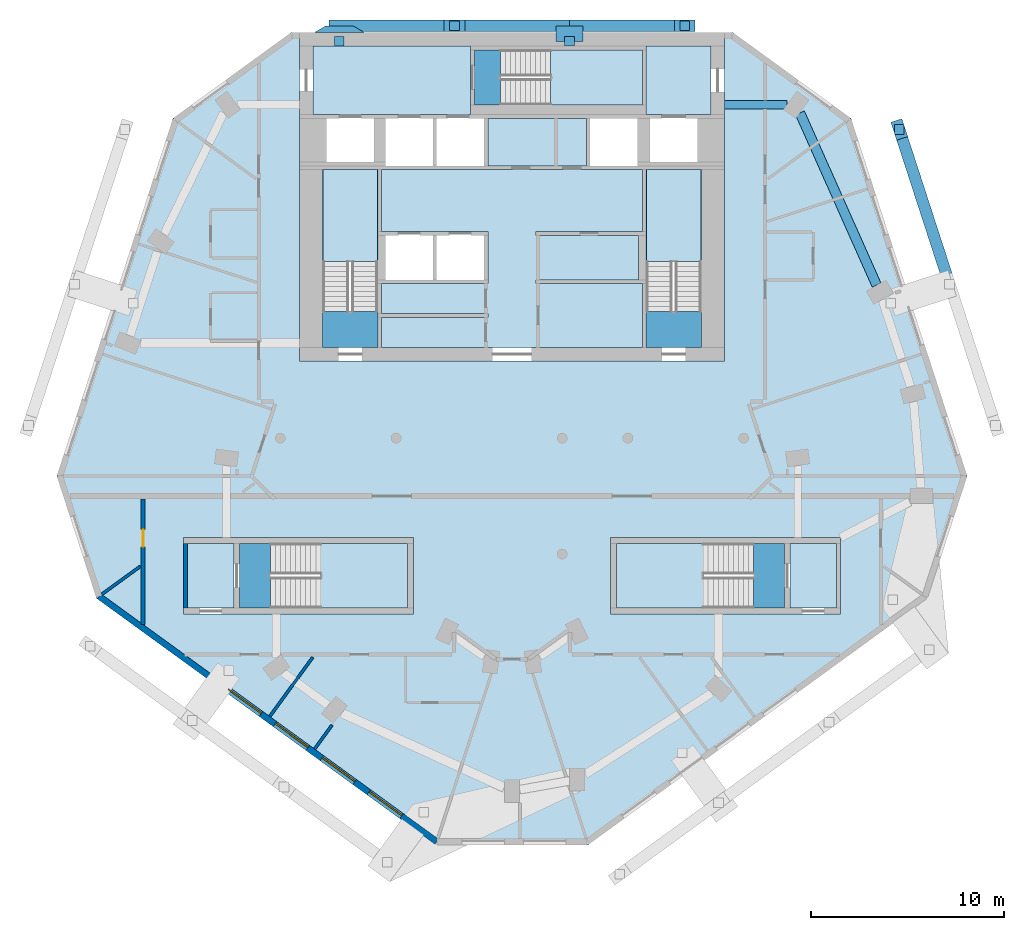
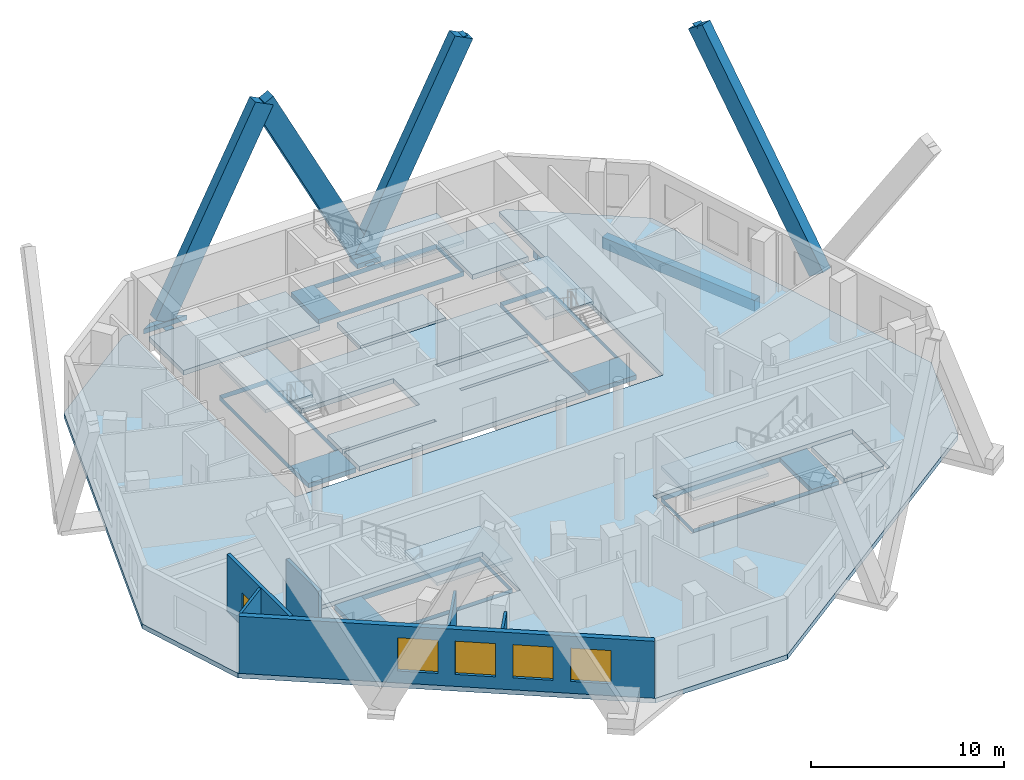
# One storey, part 2 of 9: 17 slabs, 6 members, 6 walls, 5 discrete accessories, 4 windows, 2 beams, 1 door, 5 openings, 5 elements without a shape of their own.
"""IFC4 building model written with IfcOpenShell, lengths in metres."""

from ifc_helpers import new_model, si_unit, direction, frame, frame_2d, origin, origin_2d, place, context, subcontext, project, spatial, polyline, rectangle, outline, extrude, material, layer, layer_set, material_profile, profile_set, type_object, element, fill, aggregate, save


model = new_model("IFC4")

# Units and contexts
model_context = context("Model", 3, precision=1e-05, world=origin(), true_north=direction((0.0, 1.0)))
body_context = subcontext(model_context, "Body", "Model", "MODEL_VIEW")
ifc_project = project(units=[si_unit("LENGTHUNIT", "METRE"), si_unit("AREAUNIT", "SQUARE_METRE"), si_unit("VOLUMEUNIT", "CUBIC_METRE"), si_unit("PLANEANGLEUNIT", "RADIAN"), si_unit("MASSUNIT", "GRAM", prefix="KILO")], contexts=[model_context])

# Site, building, storey
site_placement = place(None, origin())
site = spatial("IfcSite", under=ifc_project, at=site_placement, CompositionType="ELEMENT")
building_placement = place(site_placement, origin())
building = spatial("IfcBuilding", under=site, at=building_placement, Name="White Candle Pilgrim Tower", CompositionType="ELEMENT")
storey_placement = place(building_placement, frame((0.0, 0.0, 260.0)))
storey = spatial("IfcBuildingStorey", under=building, at=storey_placement, Name="L61", CompositionType="ELEMENT", Elevation=260.0)

# Member
ifc_material_1 = material(Name="Concrete C60/75, white", Category="concrete")
ifc_material_profile_1 = material_profile(ifc_material_1, rectangle(XDim=0.60009765625, YDim=1.199951171875, at=origin_2d()), Name="RC-DG 600x1200")
ifc_profile_set_1 = profile_set([ifc_material_profile_1], Name="Concrete C60/75, white")
member_type_1 = type_object("IfcMemberType", Name="Exoskeleton diagonal RC-DG 600x1200 C60/75", PredefinedType="BRACE", material=ifc_profile_set_1)
member_1_placement = place(storey_placement, frame((72.97900390625, 88.35009765625, 0.0), z_axis=(0.453783992732, 0.0, 0.891111714624), x_axis=(0.0, 1.0, 0.0)))
member_1 = element("IfcMember", 1, at=member_1_placement, inside=storey, type_object=member_type_1, Name="Exoskeleton diagonal EX244", PredefinedType="BRACE", context=body_context, shape_type="SweptSolid", body=[
    extrude(rectangle(XDim=0.60009765625, YDim=1.199951171875, at=origin_2d()), origin(), (0.0, 0.0, 1.0), 13.129638671875),
])

member_2_placement = place(storey_placement, frame((72.97900390625, 88.35009765625, 0.0), z_axis=(-0.453783992732, 0.0, 0.891111714624), x_axis=(0.0, -1.0, 0.0)))
member_2 = element("IfcMember", 2, at=member_2_placement, inside=storey, type_object=member_type_1, Name="Exoskeleton diagonal EX245", PredefinedType="BRACE", context=body_context, shape_type="SweptSolid", body=[
    extrude(rectangle(XDim=0.60009765625, YDim=1.199951171875, at=origin_2d()), origin(), (0.0, 0.0, 1.0), 13.129638671875),
])

member_3_placement = place(storey_placement, frame((61.06298828125, 88.35009765625, 0.0), z_axis=(0.453783992732, 0.0, 0.891111714624), x_axis=(0.0, 1.0, 0.0)))
element("IfcMember", 3, at=member_3_placement, inside=storey, type_object=member_type_1, Name="Exoskeleton diagonal EX246", PredefinedType="BRACE", context=body_context, shape_type="SweptSolid", body=[
    extrude(rectangle(XDim=0.60009765625, YDim=1.199951171875, at=origin_2d()), origin(), (0.0, 0.0, 1.0), 13.129638671875),
])

member_4_placement = place(storey_placement, frame((92.65283203125, 74.977294921875, 0.0), z_axis=(-0.180479383781, 0.555429326473, 0.811742234533), x_axis=(-0.951051757795, -0.309031639148, 0.0)))
member_4 = element("IfcMember", 4, at=member_4_placement, inside=storey, type_object=member_type_1, Name="Exoskeleton diagonal EX256", PredefinedType="BRACE", context=body_context, shape_type="SweptSolid", body=[
    extrude(rectangle(XDim=0.60009765625, YDim=1.199951171875, at=origin_2d()), origin(), (0.0, 0.0, 1.0), 14.413330078125),
])

ifc_material_2 = material(Name="Concrete C70/85, white", Category="concrete")
ifc_layer_1 = layer(ifc_material_2, 0.300048828125)
ifc_layer_set_1 = layer_set([ifc_layer_1], Name="Node tie strut 800x1400x300 C70/85")
member_type_2 = type_object("IfcMemberType", Name="Node tie strut 800x1400x300 C70/85", PredefinedType="STRUT", material=ifc_layer_set_1)
member_5_placement = place(storey_placement, frame((72.97900390625, 87.949951171875, -0.2998046875), z_axis=(0.0, 0.0, 1.0), x_axis=(-1.0, 0.0, 0.0)))
member_5 = element("IfcMember", 5, at=member_5_placement, inside=storey, type_object=member_type_2, Name="Node tie strut NC214", PredefinedType="STRUT", context=body_context, shape_type="SweptSolid", body=[
    extrude(rectangle(XDim=1.39990234375, YDim=0.800048828125, at=origin_2d()), origin(), (0.0, 0.0, 1.0), 0.300048828125),
])

member_6_placement = place(storey_placement, frame((0.0, 0.0, -0.300048828125)))
member_6 = element("IfcMember", 6, at=member_6_placement, inside=storey, type_object=member_type_2, Name="Node tie strut NC215", PredefinedType="STRUT", context=body_context, shape_type="SweptSolid", body=[
    extrude(outline(polyline([(59.762939453125, 88.0), (62.363037109375, 88.0), (61.762939453125, 88.35009765625), (60.363037109375, 88.35009765625), (59.762939453125, 88.0)])), origin(), (0.0, 0.0, 1.0), 0.300048828125),
])

# Beams
ifc_material_3 = material(Name="Concrete C50/60", Category="concrete")
ifc_material_profile_2 = material_profile(ifc_material_3, rectangle(XDim=0.449951171875, YDim=0.449951171875, at=origin_2d()), Name="RC-BM 450x450")
ifc_profile_set_2 = profile_set([ifc_material_profile_2], Name="Concrete C50/60")
beam_type_1 = type_object("IfcBeamType", Name="Spandrel beam RC-BM 450x450 C50/60", PredefinedType="BEAM", material=ifc_profile_set_2)
beam_1_placement = place(storey_placement, frame((84.2255859375, 84.260009765625, -0.52490234375), z_axis=(-1.0, 0.0, 0.0), x_axis=(0.0, -1.0, 0.0)))
element("IfcBeam", 7, at=beam_1_placement, inside=storey, type_object=beam_type_1, Name="L61 spandrel beam T10", PredefinedType="BEAM", context=body_context, shape_type="SweptSolid", body=[
    extrude(rectangle(XDim=0.449951171875, YDim=0.449951171875, at=origin_2d()), origin(), (0.0, 0.0, 1.0), 3.2255859375),
])
ifc_material_profile_3 = material_profile(ifc_material_3, rectangle(XDim=0.5, YDim=0.699951171875, at=origin_2d()), Name="RC-BM 500x700")
ifc_profile_set_3 = profile_set([ifc_material_profile_3], Name="Concrete C50/60")
beam_type_2 = type_object("IfcBeamType", Name="Spandrel beam RC-BM 500x700 C50/60", PredefinedType="BEAM", material=ifc_profile_set_3)
beam_2_placement = place(storey_placement, frame((88.876708984375, 74.9267578125, -0.64990234375), z_axis=(-0.406834969126, 0.913501673724, 0.0), x_axis=(-0.913501673724, -0.406834969126, 0.0)))
element("IfcBeam", 8, at=beam_2_placement, inside=storey, type_object=beam_type_2, Name="L61 spandrel beam T09", PredefinedType="BEAM", context=body_context, shape_type="SweptSolid", body=[
    extrude(rectangle(XDim=0.5, YDim=0.699951171875, at=origin_2d()), origin(), (0.0, 0.0, 1.0), 9.755126953125),
])

# Slabs
ifc_material_4 = material(Name="Concrete C40/50", Category="concrete")
ifc_layer_2 = layer(ifc_material_4, 0.300048828125)
ifc_layer_set_2 = layer_set([ifc_layer_2], Name="Core floor slab 300 mm Concrete C40/50")
slab_type_1 = type_object("IfcSlabType", Name="Core floor slab 300 mm Concrete C40/50", PredefinedType="FLOOR", material=ifc_layer_set_2)
slab_1_placement = place(storey_placement, frame((0.0, 0.0, -0.300048828125)))
element("IfcSlab", 9, at=slab_1_placement, inside=storey, type_object=slab_type_1, Name="CF-L61-01", PredefinedType="FLOOR", context=body_context, shape_type="SweptSolid", body=[
    extrude(outline(polyline([(55.60009765625, 58.199951171875), (53.199951171875, 58.199951171875), (53.199951171875, 61.550048828125), (55.60009765625, 61.550048828125), (55.60009765625, 58.199951171875)])), origin(), (0.0, 0.0, 1.0), 0.300048828125),
])
slab_2_placement = place(storey_placement, frame((0.0, 0.0, -0.300048828125)))
element("IfcSlab", 10, at=slab_2_placement, inside=storey, type_object=slab_type_1, Name="CF-L61-02", PredefinedType="FLOOR", context=body_context, shape_type="SweptSolid", body=[
    extrude(outline(polyline([(55.89990234375, 58.199951171875), (55.89990234375, 61.550048828125), (64.60009765625, 61.550048828125), (64.60009765625, 58.199951171875), (55.89990234375, 58.199951171875)]), holes=[polyline([(57.501953125, 61.548095703125), (57.501953125, 58.201904296875), (64.597900390625, 58.201904296875), (64.597900390625, 61.548095703125), (57.501953125, 61.548095703125)])]), origin(), (0.0, 0.0, 1.0), 0.300048828125),
])
slab_3_placement = place(storey_placement, frame((0.0, 0.0, -0.300048828125)))
element("IfcSlab", 11, at=slab_3_placement, inside=storey, type_object=slab_type_1, Name="CF-L61-03", PredefinedType="FLOOR", context=body_context, shape_type="SweptSolid", body=[
    extrude(outline(polyline([(75.39990234375, 58.199951171875), (75.39990234375, 61.550048828125), (84.10009765625, 61.550048828125), (84.10009765625, 58.199951171875), (75.39990234375, 58.199951171875)]), holes=[polyline([(82.498046875, 61.548095703125), (75.402099609375, 61.548095703125), (75.402099609375, 58.201904296875), (82.498046875, 58.201904296875), (82.498046875, 61.548095703125)])]), origin(), (0.0, 0.0, 1.0), 0.300048828125),
])
slab_4_placement = place(storey_placement, frame((0.0, 0.0, -0.300048828125)))
element("IfcSlab", 12, at=slab_4_placement, inside=storey, type_object=slab_type_1, Name="CF-L61-04", PredefinedType="FLOOR", context=body_context, shape_type="SweptSolid", body=[
    extrude(outline(polyline([(86.800048828125, 58.199951171875), (84.39990234375, 58.199951171875), (84.39990234375, 61.550048828125), (86.800048828125, 61.550048828125), (86.800048828125, 58.199951171875)])), origin(), (0.0, 0.0, 1.0), 0.300048828125),
])
slab_5_placement = place(storey_placement, frame((0.0, 0.0, -0.300048828125)))
element("IfcSlab", 13, at=slab_5_placement, inside=storey, type_object=slab_type_1, Name="CF-L61-05", PredefinedType="FLOOR", context=body_context, shape_type="SweptSolid", body=[
    extrude(outline(polyline([(76.949951171875, 71.699951171875), (76.949951171875, 75.0), (76.949951171875, 75.199951171875), (76.949951171875, 77.5), (76.949951171875, 77.699951171875), (76.949951171875, 80.89990234375), (79.800048828125, 80.89990234375), (79.800048828125, 71.699951171875), (76.949951171875, 71.699951171875)]), holes=[polyline([(76.951904296875, 73.552001953125), (79.798095703125, 73.552001953125), (79.798095703125, 80.89794921875), (76.951904296875, 80.89794921875), (76.951904296875, 73.552001953125)])]), origin(), (0.0, 0.0, 1.0), 0.300048828125),
])
slab_6_placement = place(storey_placement, frame((0.0, 0.0, -0.300048828125)))
element("IfcSlab", 14, at=slab_6_placement, inside=storey, type_object=slab_type_1, Name="CF-L61-06", PredefinedType="FLOOR", context=body_context, shape_type="SweptSolid", body=[
    extrude(outline(polyline([(63.25, 71.699951171875), (63.25, 73.25), (68.75, 73.25), (68.75, 73.449951171875), (63.25, 73.449951171875), (63.25, 75.0), (68.75, 75.0), (68.75, 75.199951171875), (68.75, 77.5), (68.75, 77.699951171875), (63.25, 77.699951171875), (63.25, 80.89990234375), (76.75, 80.89990234375), (76.75, 77.699951171875), (71.25, 77.699951171875), (71.25, 77.5), (76.550048828125, 77.5), (76.550048828125, 75.199951171875), (71.25, 75.199951171875), (71.25, 75.0), (76.75, 75.0), (76.75, 71.699951171875), (63.25, 71.699951171875)])), origin(), (0.0, 0.0, 1.0), 0.300048828125),
])
slab_7_placement = place(storey_placement, frame((0.0, 0.0, -0.300048828125)))
element("IfcSlab", 15, at=slab_7_placement, inside=storey, type_object=slab_type_1, Name="CF-L61-07", PredefinedType="FLOOR", context=body_context, shape_type="SweptSolid", body=[
    extrude(outline(polyline([(60.199951171875, 71.699951171875), (60.199951171875, 80.89990234375), (63.050048828125, 80.89990234375), (63.050048828125, 77.699951171875), (63.050048828125, 77.5), (63.050048828125, 75.199951171875), (63.050048828125, 75.0), (63.050048828125, 73.449951171875), (63.050048828125, 73.25), (63.050048828125, 71.699951171875), (60.199951171875, 71.699951171875)]), holes=[polyline([(60.201904296875, 73.552001953125), (63.048095703125, 73.552001953125), (63.048095703125, 80.89794921875), (60.201904296875, 80.89794921875), (60.201904296875, 73.552001953125)])]), origin(), (0.0, 0.0, 1.0), 0.300048828125),
])
slab_8_placement = place(storey_placement, frame((0.0, 0.0, -0.300048828125)))
element("IfcSlab", 16, at=slab_8_placement, inside=storey, type_object=slab_type_1, Name="CF-L61-08", PredefinedType="FLOOR", context=body_context, shape_type="SweptSolid", body=[
    extrude(outline(polyline([(59.699951171875, 87.300048828125), (67.85009765625, 87.300048828125), (67.85009765625, 87.10009765625), (67.85009765625, 84.25), (67.85009765625, 83.75), (59.699951171875, 83.75), (59.699951171875, 87.300048828125)])), origin(), (0.0, 0.0, 1.0), 0.300048828125),
])
slab_9_placement = place(storey_placement, frame((0.0, 0.0, -0.300048828125)))
element("IfcSlab", 17, at=slab_9_placement, inside=storey, type_object=slab_type_1, Name="CF-L61-09", PredefinedType="FLOOR", context=body_context, shape_type="SweptSolid", body=[
    extrude(outline(polyline([(80.300048828125, 87.300048828125), (80.300048828125, 83.75), (76.949951171875, 83.75), (76.949951171875, 84.25), (76.949951171875, 87.10009765625), (76.949951171875, 87.300048828125), (80.300048828125, 87.300048828125)])), origin(), (0.0, 0.0, 1.0), 0.300048828125),
])
slab_10_placement = place(storey_placement, frame((0.0, 0.0, -0.300048828125)))
element("IfcSlab", 18, at=slab_10_placement, inside=storey, type_object=slab_type_1, Name="CF-L61-10", PredefinedType="FLOOR", context=body_context, shape_type="SweptSolid", body=[
    extrude(outline(polyline([(68.75, 81.10009765625), (68.75, 83.550048828125), (73.85009765625, 83.550048828125), (73.85009765625, 81.10009765625), (68.75, 81.10009765625)])), origin(), (0.0, 0.0, 1.0), 0.300048828125),
])
slab_11_placement = place(storey_placement, frame((0.0, 0.0, -0.300048828125)))
element("IfcSlab", 19, at=slab_11_placement, inside=storey, type_object=slab_type_1, Name="CF-L61-11", PredefinedType="FLOOR", context=body_context, shape_type="SweptSolid", body=[
    extrude(outline(polyline([(68.050048828125, 87.10009765625), (76.75, 87.10009765625), (76.75, 84.25), (68.050048828125, 84.25), (68.050048828125, 87.10009765625)]), holes=[polyline([(69.402099609375, 84.251953125), (76.748046875, 84.251953125), (76.748046875, 87.097900390625), (69.402099609375, 87.097900390625), (69.402099609375, 84.251953125)])]), origin(), (0.0, 0.0, 1.0), 0.300048828125),
])
ifc_layer_3 = layer(ifc_material_4, 0.300048828125)
ifc_layer_set_3 = layer_set([ifc_layer_3], Name="Floor slab 300 REI 120")
slab_type_2 = type_object("IfcSlabType", Name="Floor slab 300 REI 120", PredefinedType="FLOOR", material=ifc_layer_set_3)
slab_12_placement = place(storey_placement, frame((0.0, 0.0, -0.300048828125)))
element("IfcSlab", 20, at=slab_12_placement, inside=storey, type_object=slab_type_2, Name="L61 floor slab", PredefinedType="FLOOR", context=body_context, shape_type="SweptSolid", body=[
    extrude(outline(polyline([(66.0537109375, 45.94921875), (73.9462890625, 45.94921875), (91.51416015625, 58.712890625), (93.569091796875, 65.03759765625), (87.5517578125, 83.557373046875), (81.43701171875, 88.0), (81.0, 88.0), (81.0, 71.0), (59.0, 71.0), (59.0, 88.0), (58.56298828125, 88.0), (52.4482421875, 83.557373046875), (46.430908203125, 65.03759765625), (48.48583984375, 58.712890625), (66.0537109375, 45.94921875)]), holes=[polyline([(53.0, 57.89990234375), (53.0, 61.85009765625), (64.89990234375, 61.85009765625), (64.89990234375, 57.89990234375), (53.0, 57.89990234375)]), polyline([(75.10009765625, 57.89990234375), (75.10009765625, 61.85009765625), (87.0, 61.85009765625), (87.0, 57.89990234375), (75.10009765625, 57.89990234375)])]), origin(), (0.0, 0.0, 1.0), 0.300048828125),
])

# Stair, slab
stair_type_1 = type_object("IfcStairType", Name="Exit stair 1 flight width 1350 mm", PredefinedType="HALF_TURN_STAIR", material=ifc_material_4)
stair_1_placement = place(storey_placement, origin())
stair_1 = element("IfcStair", 21, at=stair_1_placement, inside=storey, type_object=stair_type_1, Name="L61 stair 1", PredefinedType="NOTDEFINED")
ifc_layer_4 = layer(ifc_material_4, 0.199951171875)
ifc_layer_set_4 = layer_set([ifc_layer_4], Name="Stair landing Concrete C40/50")
slab_type_3 = type_object("IfcSlabType", Name="Stair landing Concrete C40/50", PredefinedType="LANDING", material=ifc_layer_set_4)
slab_13_placement = place(storey_placement, frame((0.0, 0.0, 1.75)))
slab_13 = element("IfcSlab", 22, at=slab_13_placement, type_object=slab_type_3, Name="ST1 landing 1", PredefinedType="LANDING", context=body_context, shape_type="SweptSolid", body=[
    extrude(outline(polyline([(63.052001953125, 76.14794921875), (60.197998046875, 76.14794921875), (60.197998046875, 80.902099609375), (63.052001953125, 80.902099609375), (63.052001953125, 76.14794921875)])), origin(), (0.0, 0.0, 1.0), 0.199951171875),
])
aggregate(stair_1, [slab_13])

stair_type_2 = type_object("IfcStairType", Name="Exit stair 2 flight width 1350 mm", PredefinedType="HALF_TURN_STAIR", material=ifc_material_4)
stair_2_placement = place(storey_placement, origin())
stair_2 = element("IfcStair", 23, at=stair_2_placement, inside=storey, type_object=stair_type_2, Name="L61 stair 2", PredefinedType="NOTDEFINED")
slab_14_placement = place(storey_placement, frame((0.0, 0.0, 1.75)))
slab_14 = element("IfcSlab", 24, at=slab_14_placement, type_object=slab_type_3, Name="ST2 landing 1", PredefinedType="LANDING", context=body_context, shape_type="SweptSolid", body=[
    extrude(outline(polyline([(79.802001953125, 76.14794921875), (76.947998046875, 76.14794921875), (76.947998046875, 80.902099609375), (79.802001953125, 80.902099609375), (79.802001953125, 76.14794921875)])), origin(), (0.0, 0.0, 1.0), 0.199951171875),
])
aggregate(stair_2, [slab_14])

stair_type_3 = type_object("IfcStairType", Name="Exit stair 3 flight width 1350 mm", PredefinedType="HALF_TURN_STAIR", material=ifc_material_4)
stair_3_placement = place(storey_placement, origin())
stair_3 = element("IfcStair", 25, at=stair_3_placement, inside=storey, type_object=stair_type_3, Name="L61 stair 3", PredefinedType="NOTDEFINED")
slab_15_placement = place(storey_placement, frame((0.0, 0.0, 1.75)))
slab_15 = element("IfcSlab", 26, at=slab_15_placement, type_object=slab_type_3, Name="ST3 landing 1", PredefinedType="LANDING", context=body_context, shape_type="SweptSolid", body=[
    extrude(outline(polyline([(71.998046875, 84.248046875), (71.998046875, 87.10205078125), (76.751953125, 87.10205078125), (76.751953125, 84.248046875), (71.998046875, 84.248046875)])), origin(), (0.0, 0.0, 1.0), 0.199951171875),
])
aggregate(stair_3, [slab_15])

stair_type_4 = type_object("IfcStairType", Name="Exit stair 4 flight width 1600 mm", PredefinedType="HALF_TURN_STAIR", material=ifc_material_4)
stair_4_placement = place(storey_placement, origin())
stair_4 = element("IfcStair", 27, at=stair_4_placement, inside=storey, type_object=stair_type_4, Name="L61 stair 4", PredefinedType="NOTDEFINED")
slab_16_placement = place(storey_placement, frame((0.0, 0.0, 1.75)))
slab_16 = element("IfcSlab", 28, at=slab_16_placement, type_object=slab_type_3, Name="ST4 landing 1", PredefinedType="LANDING", context=body_context, shape_type="SweptSolid", body=[
    extrude(outline(polyline([(79.902099609375, 61.552001953125), (79.902099609375, 58.197998046875), (75.39794921875, 58.197998046875), (75.39794921875, 61.552001953125), (79.902099609375, 61.552001953125)])), origin(), (0.0, 0.0, 1.0), 0.199951171875),
])
aggregate(stair_4, [slab_16])

stair_type_5 = type_object("IfcStairType", Name="Exit stair 5 flight width 1600 mm", PredefinedType="HALF_TURN_STAIR", material=ifc_material_4)
stair_5_placement = place(storey_placement, origin())
stair_5 = element("IfcStair", 29, at=stair_5_placement, inside=storey, type_object=stair_type_5, Name="L61 stair 5", PredefinedType="NOTDEFINED")
slab_17_placement = place(storey_placement, frame((0.0, 0.0, 1.75)))
slab_17 = element("IfcSlab", 30, at=slab_17_placement, type_object=slab_type_3, Name="ST5 landing 1", PredefinedType="LANDING", context=body_context, shape_type="SweptSolid", body=[
    extrude(outline(polyline([(60.097900390625, 58.197998046875), (60.097900390625, 61.552001953125), (64.60205078125, 61.552001953125), (64.60205078125, 58.197998046875), (60.097900390625, 58.197998046875)])), origin(), (0.0, 0.0, 1.0), 0.199951171875),
])
aggregate(stair_5, [slab_17])

# Wall
ifc_layer_5 = layer(ifc_material_3, 0.199951171875)
ifc_layer_set_5 = layer_set([ifc_layer_5], Name="Core wall 200 mm Concrete C50/60")
wall_type_1 = type_object("IfcWallType", Name="Core wall 200 mm Concrete C50/60", PredefinedType="SHEAR", material=ifc_layer_set_5)
wall_1_placement = place(storey_placement, frame((53.10009765625, 58.199951171875, 0.0), z_axis=(0.0, 0.0, 1.0), x_axis=(0.0, 1.0, 0.0)))
element("IfcWall", 31, at=wall_1_placement, inside=storey, type_object=wall_type_1, Name="WL-L61-C03", PredefinedType="SHEAR", context=body_context, shape_type="SweptSolid", body=[
    extrude(rectangle(XDim=3.35009765625, YDim=0.199951171875, at=frame_2d((1.675048828125, 0.0))), origin(), (0.0, 0.0, 1.0), 3.89990234375),
])

# Wall, opening, door
ifc_material_5 = material(Name="Gypsum board on steel studs", Category="steel")
ifc_layer_6 = layer(ifc_material_5, 0.199951171875)
ifc_layer_set_6 = layer_set([ifc_layer_6], Name="Corridor wall 200 mm EI 45")
wall_type_2 = type_object("IfcWallType", Name="Corridor wall 200 mm EI 45", PredefinedType="PARTITIONING", material=ifc_layer_set_6)
wall_2_placement = place(storey_placement, frame((50.89990234375, 57.3544921875, 0.0), z_axis=(0.0, 0.0, 1.0), x_axis=(0.0, 1.0, 0.0)))
wall_2 = element("IfcWall", 32, at=wall_2_placement, inside=storey, type_object=wall_type_2, Name="WL-L61-P002", PredefinedType="PARTITIONING", context=body_context, shape_type="SweptSolid", body=[
    extrude(rectangle(XDim=6.49560546875, YDim=0.199951171875, at=frame_2d((3.247802734375, 0.0))), origin(), (0.0, 0.0, 1.0), 3.60009765625),
])
opening_1_placement = place(wall_2_placement, frame((4.0146484375, 0.0, 0.0)))
opening_1 = element("IfcOpeningElement", 33, at=opening_1_placement, cuts=wall_2, Name="Opening T19-113", PredefinedType="OPENING", context=body_context, shape_type="SweptSolid", body=[
    extrude(rectangle(XDim=0.89990234375, YDim=2.10009765625, at=frame_2d((0.449951171875, 1.050048828125))), frame((0.0, 0.10986328125, 0.0), z_axis=(0.0, -1.0, 0.0), x_axis=(1.0, 0.0, 0.0)), (0.0, 0.0, 1.0), 0.219970703125),
])
ifc_material_6 = material(Name="Steel door leaf", Category="steel")
door_type = type_object("IfcDoorType", Name="Fire door 900 x 2100 EI 30", OperationType="NOTDEFINED", PredefinedType="DOOR", material=ifc_material_6)
door_placement = place(opening_1_placement, origin())
door = element("IfcDoor", 34, at=door_placement, inside=storey, type_object=door_type, Name="Door T19-113", OperationType="SINGLE_SWING_LEFT", OverallHeight=2.10009765625, OverallWidth=0.89990234375, PredefinedType="DOOR", context=body_context, shape_type="SweptSolid", body=[
    extrude(rectangle(XDim=0.89990234375, YDim=2.10009765625, at=frame_2d((0.449951171875, 1.050048828125))), frame((0.0, 0.02490234375, 0.0), z_axis=(0.0, -1.0, 0.0), x_axis=(1.0, 0.0, 0.0)), (0.0, 0.0, 1.0), 0.050048828125),
])
fill(opening_1, door)

# Wall, openings, windows
ifc_material_7 = material(Name="Precast concrete C40/50", Category="concrete")
ifc_layer_7 = layer(ifc_material_7, 0.320068359375)
ifc_layer_set_7 = layer_set([ifc_layer_7], Name="Facade wall EW1 precast concrete C40/50 pier wall with timber-lined reveals")
wall_type_3 = type_object("IfcWallType", Name="Facade wall EW1 precast concrete C40/50 pier wall with timber-lined reveals", PredefinedType="SOLIDWALL", material=ifc_layer_set_7)
wall_3_placement = place(storey_placement, frame((48.6220703125, 58.811767578125, 0.0), z_axis=(0.0, 0.0, 1.0), x_axis=(0.809016403759, -0.587786065205, 0.0)))
wall_3 = element("IfcWall", 35, at=wall_3_placement, inside=storey, type_object=wall_type_3, Name="Facade wall L61 SW", PredefinedType="SOLIDWALL", context=body_context, shape_type="SweptSolid", body=[
    extrude(rectangle(XDim=21.611083984375, YDim=0.320068359375, at=frame_2d((10.8056640625, 0.0))), origin(), (0.0, 0.0, 1.0), 3.60009765625),
])
opening_2_placement = place(wall_3_placement, frame((8.255615234375, 0.0, 0.75)))
opening_2 = element("IfcOpeningElement", 36, at=opening_2_placement, cuts=wall_3, Name="Opening W3", PredefinedType="OPENING", context=body_context, shape_type="SweptSolid", body=[
    extrude(rectangle(XDim=2.10009765625, YDim=2.10009765625, at=frame_2d((1.050048828125, 1.050048828125))), frame((0.0, 0.169921875, 0.0), z_axis=(0.0, -1.0, 0.0), x_axis=(1.0, 0.0, 0.0)), (0.0, 0.0, 1.0), 0.340087890625),
])
opening_3_placement = place(wall_3_placement, frame((11.255615234375, 0.0, 0.75)))
opening_3 = element("IfcOpeningElement", 37, at=opening_3_placement, cuts=wall_3, Name="Opening W3", PredefinedType="OPENING", context=body_context, shape_type="SweptSolid", body=[
    extrude(rectangle(XDim=2.10009765625, YDim=2.10009765625, at=frame_2d((1.050048828125, 1.050048828125))), frame((0.0, 0.169921875, 0.0), z_axis=(0.0, -1.0, 0.0), x_axis=(1.0, 0.0, 0.0)), (0.0, 0.0, 1.0), 0.340087890625),
])
opening_4_placement = place(wall_3_placement, frame((14.255615234375, 0.0, 0.75)))
opening_4 = element("IfcOpeningElement", 38, at=opening_4_placement, cuts=wall_3, Name="Opening W3", PredefinedType="OPENING", context=body_context, shape_type="SweptSolid", body=[
    extrude(rectangle(XDim=2.10009765625, YDim=2.10009765625, at=frame_2d((1.050048828125, 1.050048828125))), frame((0.0, 0.169921875, 0.0), z_axis=(0.0, -1.0, 0.0), x_axis=(1.0, 0.0, 0.0)), (0.0, 0.0, 1.0), 0.340087890625),
])
opening_5_placement = place(wall_3_placement, frame((17.255615234375, 0.0, 0.75)))
opening_5 = element("IfcOpeningElement", 39, at=opening_5_placement, cuts=wall_3, Name="Opening W3", PredefinedType="OPENING", context=body_context, shape_type="SweptSolid", body=[
    extrude(rectangle(XDim=2.10009765625, YDim=2.10009765625, at=frame_2d((1.050048828125, 1.050048828125))), frame((0.0, 0.169921875, 0.0), z_axis=(0.0, -1.0, 0.0), x_axis=(1.0, 0.0, 0.0)), (0.0, 0.0, 1.0), 0.340087890625),
])
ifc_material_8 = material(Name="Timber frame with triple glazing", Category="wood")
window_type = type_object("IfcWindowType", Name="Window W3 2100x2100 timber frame triple glazing", PartitioningType="SINGLE_PANEL", PredefinedType="WINDOW", material=ifc_material_8)
window_1_placement = place(opening_2_placement, origin())
window_1 = element("IfcWindow", 40, at=window_1_placement, inside=storey, type_object=window_type, Name="Window W3 L61 SW 3", OverallHeight=2.10009765625, OverallWidth=2.10009765625, PartitioningType="SINGLE_PANEL", PredefinedType="WINDOW", context=body_context, shape_type="SweptSolid", body=[
    extrude(rectangle(XDim=2.10009765625, YDim=2.10009765625, at=frame_2d((1.050048828125, 1.050048828125))), frame((0.0, 0.070068359375, 0.0), z_axis=(0.0, -1.0, 0.0), x_axis=(1.0, 0.0, 0.0)), (0.0, 0.0, 1.0), 0.06005859375),
])
fill(opening_2, window_1)
window_2_placement = place(opening_3_placement, origin())
window_2 = element("IfcWindow", 41, at=window_2_placement, inside=storey, type_object=window_type, Name="Window W3 L61 SW 4", OverallHeight=2.10009765625, OverallWidth=2.10009765625, PartitioningType="SINGLE_PANEL", PredefinedType="WINDOW", context=body_context, shape_type="SweptSolid", body=[
    extrude(rectangle(XDim=2.10009765625, YDim=2.10009765625, at=frame_2d((1.050048828125, 1.050048828125))), frame((0.0, 0.070068359375, 0.0), z_axis=(0.0, -1.0, 0.0), x_axis=(1.0, 0.0, 0.0)), (0.0, 0.0, 1.0), 0.06005859375),
])
fill(opening_3, window_2)
window_3_placement = place(opening_4_placement, origin())
window_3 = element("IfcWindow", 42, at=window_3_placement, inside=storey, type_object=window_type, Name="Window W3 L61 SW 5", OverallHeight=2.10009765625, OverallWidth=2.10009765625, PartitioningType="SINGLE_PANEL", PredefinedType="WINDOW", context=body_context, shape_type="SweptSolid", body=[
    extrude(rectangle(XDim=2.10009765625, YDim=2.10009765625, at=frame_2d((1.050048828125, 1.050048828125))), frame((0.0, 0.070068359375, 0.0), z_axis=(0.0, -1.0, 0.0), x_axis=(1.0, 0.0, 0.0)), (0.0, 0.0, 1.0), 0.06005859375),
])
fill(opening_4, window_3)
window_4_placement = place(opening_5_placement, origin())
window_4 = element("IfcWindow", 43, at=window_4_placement, inside=storey, type_object=window_type, Name="Window W3 L61 SW 6", OverallHeight=2.10009765625, OverallWidth=2.10009765625, PartitioningType="SINGLE_PANEL", PredefinedType="WINDOW", context=body_context, shape_type="SweptSolid", body=[
    extrude(rectangle(XDim=2.10009765625, YDim=2.10009765625, at=frame_2d((1.050048828125, 1.050048828125))), frame((0.0, 0.070068359375, 0.0), z_axis=(0.0, -1.0, 0.0), x_axis=(1.0, 0.0, 0.0)), (0.0, 0.0, 1.0), 0.06005859375),
])
fill(opening_5, window_4)

# Walls
ifc_layer_8 = layer(ifc_material_5, 0.14990234375)
ifc_layer_set_8 = layer_set([ifc_layer_8], Name="Partition 150 mm EI 60")
wall_type_4 = type_object("IfcWallType", Name="Partition 150 mm EI 60", PredefinedType="PARTITIONING", material=ifc_layer_set_8)
wall_4_placement = place(storey_placement, frame((48.758056640625, 58.91064453125, 0.0), z_axis=(0.0, 0.0, 1.0), x_axis=(0.808983967864, 0.587830706699, 0.0)))
element("IfcWall", 44, at=wall_4_placement, inside=storey, type_object=wall_type_4, Name="WL-L61-P021", PredefinedType="PARTITIONING", context=body_context, shape_type="SweptSolid", body=[
    extrude(rectangle(XDim=2.469482421875, YDim=0.14990234375, at=frame_2d((1.23486328125, 0.0))), origin(), (0.0, 0.0, 1.0), 3.60009765625),
])
wall_5_placement = place(storey_placement, frame((57.4580078125, 52.58984375, 0.0), z_axis=(0.0, 0.0, 1.0), x_axis=(0.587757946998, 0.809036832129, 0.0)))
element("IfcWall", 45, at=wall_5_placement, inside=storey, type_object=wall_type_4, Name="WL-L61-P037", PredefinedType="PARTITIONING", context=body_context, shape_type="SweptSolid", body=[
    extrude(rectangle(XDim=3.789794921875, YDim=0.14990234375, at=frame_2d((1.89501953125, 0.0))), origin(), (0.0, 0.0, 1.0), 3.14990234375),
])
wall_6_placement = place(storey_placement, frame((60.683349609375, 52.148681640625, 0.0), z_axis=(0.0, 0.0, 1.0), x_axis=(-0.587822598437, -0.808989859496, 0.0)))
element("IfcWall", 46, at=wall_6_placement, inside=storey, type_object=wall_type_4, Name="WL-L61-P047", PredefinedType="PARTITIONING", context=body_context, shape_type="SweptSolid", body=[
    extrude(rectangle(XDim=1.538818359375, YDim=0.14990234375, at=frame_2d((0.76953125, 0.0))), origin(), (0.0, 0.0, 1.0), 3.60009765625),
])

# Discrete accessory
ifc_material_9 = material(Name="Steel S355", Category="steel")
ifc_layer_9 = layer(ifc_material_9, 0.02490234375)
ifc_layer_set_9 = layer_set([ifc_layer_9], Name="Gusset plate 500x500x25 S355")
discrete_accessory_type = type_object("IfcDiscreteAccessoryType", Name="Gusset plate 500x500x25 S355", PredefinedType="BRACKET", material=ifc_layer_set_9)
placement = place(building_placement, frame((0.0, 0.0, 271.699951171875)))
discrete_accessory_1_placement = place(placement, frame((78.93701171875, 88.35009765625, -0.012451171875), z_axis=(0.0, 0.0, 1.0), x_axis=(1.0, 0.0, 0.0)))
discrete_accessory_1 = element("IfcDiscreteAccessory", 47, at=discrete_accessory_1_placement, type_object=discrete_accessory_type, Name="Gusset plate 0285", PredefinedType="BRACKET", context=body_context, shape_type="SweptSolid", body=[
    extrude(rectangle(XDim=0.5, YDim=0.5, at=origin_2d()), origin(), (0.0, 0.0, 1.0), 0.02490234375),
])

aggregate(member_1, [discrete_accessory_1])

discrete_accessory_2_placement = place(placement, frame((67.02099609375, 88.35009765625, -0.012451171875), z_axis=(0.0, 0.0, 1.0), x_axis=(1.0, 0.0, 0.0)))
discrete_accessory_2 = element("IfcDiscreteAccessory", 48, at=discrete_accessory_2_placement, type_object=discrete_accessory_type, Name="Gusset plate 0286", PredefinedType="BRACKET", context=body_context, shape_type="SweptSolid", body=[
    extrude(rectangle(XDim=0.5, YDim=0.5, at=origin_2d()), origin(), (0.0, 0.0, 1.0), 0.02490234375),
])

aggregate(member_2, [discrete_accessory_2])

discrete_accessory_3_placement = place(placement, frame((90.051513671875, 82.98291015625, -0.012451171875), z_axis=(0.0, 0.0, 1.0), x_axis=(1.0, 0.0, 0.0)))
discrete_accessory_3 = element("IfcDiscreteAccessory", 49, at=discrete_accessory_3_placement, type_object=discrete_accessory_type, Name="Gusset plate 0296", PredefinedType="BRACKET", context=body_context, shape_type="SweptSolid", body=[
    extrude(rectangle(XDim=0.5, YDim=0.5, at=origin_2d()), origin(), (0.0, 0.0, 1.0), 0.02490234375),
])

aggregate(member_4, [discrete_accessory_3])

discrete_accessory_4_placement = place(storey_placement, frame((72.97900390625, 87.550048828125, -0.162353515625), z_axis=(0.0, 0.0, 1.0), x_axis=(1.0, 0.0, 0.0)))
discrete_accessory_4 = element("IfcDiscreteAccessory", 50, at=discrete_accessory_4_placement, type_object=discrete_accessory_type, Name="Gusset plate 0595", PredefinedType="BRACKET", context=body_context, shape_type="SweptSolid", body=[
    extrude(rectangle(XDim=0.5, YDim=0.5, at=origin_2d()), origin(), (0.0, 0.0, 1.0), 0.02490234375),
])

aggregate(member_5, [discrete_accessory_4])

discrete_accessory_5_placement = place(storey_placement, frame((61.06298828125, 87.550048828125, -0.162353515625), z_axis=(0.0, 0.0, 1.0), x_axis=(1.0, 0.0, 0.0)))
discrete_accessory_5 = element("IfcDiscreteAccessory", 51, at=discrete_accessory_5_placement, type_object=discrete_accessory_type, Name="Gusset plate 0596", PredefinedType="BRACKET", context=body_context, shape_type="SweptSolid", body=[
    extrude(rectangle(XDim=0.5, YDim=0.5, at=origin_2d()), origin(), (0.0, 0.0, 1.0), 0.02490234375),
])

aggregate(member_6, [discrete_accessory_5])

save(model, "model.ifc")
